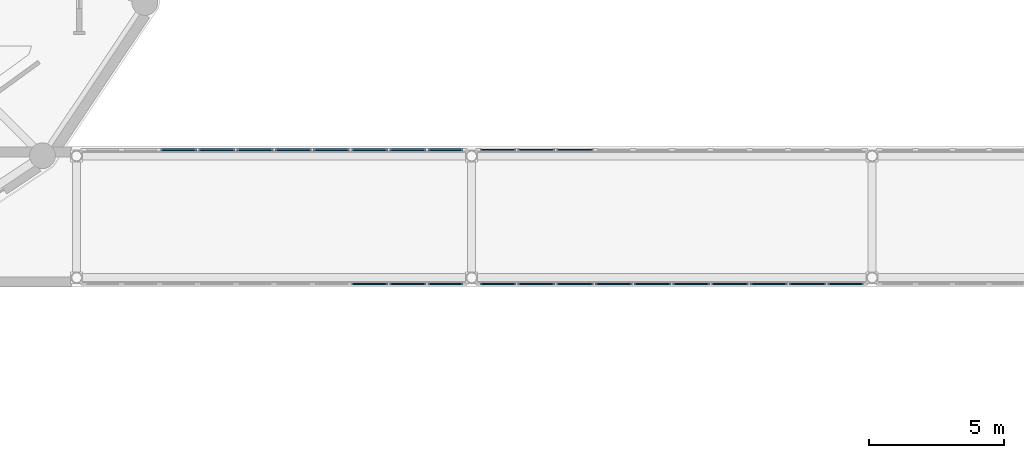
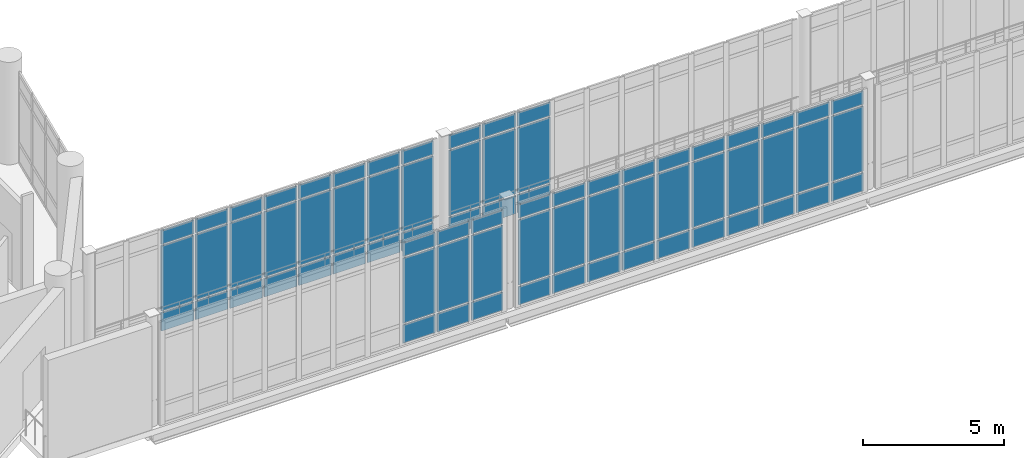
# One storey, part 49 of 89: 72 plates, 4 elements without a shape of their own.
"""IFC4 building model written with IfcOpenShell, lengths in metres."""

from ifc_helpers import new_model, si_unit, direction, frame, origin, origin_2d, place, context, subcontext, project, spatial, rectangle, extrude, material, layer, layer_set, type_object, element, aggregate, save


model = new_model("IFC4")

# Units and contexts
model_context = context("Model", 3, precision=1e-05, world=origin(), true_north=direction((0.0, 1.0)))
body_context = subcontext(model_context, "Body", "Model", "MODEL_VIEW")
ifc_project = project(units=[si_unit("LENGTHUNIT", "METRE"), si_unit("AREAUNIT", "SQUARE_METRE"), si_unit("VOLUMEUNIT", "CUBIC_METRE"), si_unit("PLANEANGLEUNIT", "RADIAN"), si_unit("MASSUNIT", "GRAM", prefix="KILO")], contexts=[model_context])

# Site, building, storey
site_placement = place(None, origin())
site = spatial("IfcSite", under=ifc_project, at=site_placement, CompositionType="ELEMENT")
building_placement = place(site_placement, origin())
building = spatial("IfcBuilding", under=site, at=building_placement, Name="Soyqirgoq Riverine Aquarium", CompositionType="ELEMENT")
storey_placement = place(building_placement, frame((0.0, 0.0, 5.39990234375)))
storey = spatial("IfcBuildingStorey", under=building, at=storey_placement, Name="L02", CompositionType="ELEMENT", Elevation=5.39990234375)

# Curtain wall, plates
ifc_material_1 = material(Name="Laminated solar-control bridge curtain wall", Category="aluminium")
curtain_wall_type = type_object("IfcCurtainWallType", Name="CW_Bridge_Concourse", PredefinedType="NOTDEFINED", material=ifc_material_1)
curtain_wall_1_placement = place(storey_placement, origin())
curtain_wall_1 = element("IfcCurtainWall", 1, at=curtain_wall_1_placement, inside=storey, type_object=curtain_wall_type, Name="BR-1 L02 Curtain Wall 135", PredefinedType="NOTDEFINED")
ifc_material_2 = material(Name="Triple insulated laminated low-E glass", Category="glass")
ifc_layer_1 = layer(ifc_material_2, 0.0458984375)
ifc_layer_set_1 = layer_set([ifc_layer_1], Name="Triple insulated laminated low-E glass")
plate_type_1 = type_object("IfcPlateType", Name="CWGlazedPanel_46", PredefinedType="CURTAIN_PANEL", material=ifc_layer_set_1)
plate_1_placement = place(storey_placement, frame((80.429931640625, 39.919921875, 0.074951171875), z_axis=(0.0, 0.0, 1.0), x_axis=(1.0, 0.0, 0.0)))
plate_1 = element("IfcPlate", 2, at=plate_1_placement, type_object=plate_type_1, Name="CW-06 panel 8.1", PredefinedType="CURTAIN_PANEL", context=body_context, shape_type="SweptSolid", body=[
    extrude(rectangle(XDim=1.33203125, YDim=0.0458984375, at=origin_2d()), origin(), (0.0, 0.0, 1.0), 0.78759765625),
])
plate_2_placement = place(storey_placement, frame((80.429931640625, 39.919921875, 0.9375), z_axis=(0.0, 0.0, 1.0), x_axis=(1.0, 0.0, 0.0)))
plate_2 = element("IfcPlate", 3, at=plate_2_placement, type_object=plate_type_1, Name="CW-06 panel 8.2", PredefinedType="CURTAIN_PANEL", context=body_context, shape_type="SweptSolid", body=[
    extrude(rectangle(XDim=1.33203125, YDim=0.0458984375, at=origin_2d()), origin(), (0.0, 0.0, 1.0), 2.824951171875),
])
plate_3_placement = place(storey_placement, frame((80.429931640625, 39.919921875, 3.837646484375), z_axis=(0.0, 0.0, 1.0), x_axis=(1.0, 0.0, 0.0)))
plate_3 = element("IfcPlate", 4, at=plate_3_placement, type_object=plate_type_1, Name="CW-06 panel 8.3", PredefinedType="CURTAIN_PANEL", context=body_context, shape_type="SweptSolid", body=[
    extrude(rectangle(XDim=1.33203125, YDim=0.0458984375, at=origin_2d()), origin(), (0.0, 0.0, 1.0), 0.58740234375),
])
plate_4_placement = place(storey_placement, frame((81.842041015625, 39.919921875, 0.074951171875), z_axis=(0.0, 0.0, 1.0), x_axis=(1.0, 0.0, 0.0)))
plate_4 = element("IfcPlate", 5, at=plate_4_placement, type_object=plate_type_1, Name="CW-06 panel 9.1", PredefinedType="CURTAIN_PANEL", context=body_context, shape_type="SweptSolid", body=[
    extrude(rectangle(XDim=1.33203125, YDim=0.0458984375, at=origin_2d()), origin(), (0.0, 0.0, 1.0), 0.78759765625),
])
plate_5_placement = place(storey_placement, frame((81.842041015625, 39.919921875, 0.9375), z_axis=(0.0, 0.0, 1.0), x_axis=(1.0, 0.0, 0.0)))
plate_5 = element("IfcPlate", 6, at=plate_5_placement, type_object=plate_type_1, Name="CW-06 panel 9.2", PredefinedType="CURTAIN_PANEL", context=body_context, shape_type="SweptSolid", body=[
    extrude(rectangle(XDim=1.33203125, YDim=0.0458984375, at=origin_2d()), origin(), (0.0, 0.0, 1.0), 2.824951171875),
])
plate_6_placement = place(storey_placement, frame((81.842041015625, 39.919921875, 3.837646484375), z_axis=(0.0, 0.0, 1.0), x_axis=(1.0, 0.0, 0.0)))
plate_6 = element("IfcPlate", 7, at=plate_6_placement, type_object=plate_type_1, Name="CW-06 panel 9.3", PredefinedType="CURTAIN_PANEL", context=body_context, shape_type="SweptSolid", body=[
    extrude(rectangle(XDim=1.33203125, YDim=0.0458984375, at=origin_2d()), origin(), (0.0, 0.0, 1.0), 0.58740234375),
])
plate_7_placement = place(storey_placement, frame((83.23388671875, 39.919921875, 0.074951171875), z_axis=(0.0, 0.0, 1.0), x_axis=(1.0, 0.0, 0.0)))
plate_7 = element("IfcPlate", 8, at=plate_7_placement, type_object=plate_type_1, Name="CW-06 panel 10.1", PredefinedType="CURTAIN_PANEL", context=body_context, shape_type="SweptSolid", body=[
    extrude(rectangle(XDim=1.2919921875, YDim=0.0458984375, at=origin_2d()), origin(), (0.0, 0.0, 1.0), 0.78759765625),
])
plate_8_placement = place(storey_placement, frame((83.23388671875, 39.919921875, 0.9375), z_axis=(0.0, 0.0, 1.0), x_axis=(1.0, 0.0, 0.0)))
plate_8 = element("IfcPlate", 9, at=plate_8_placement, type_object=plate_type_1, Name="CW-06 panel 10.2", PredefinedType="CURTAIN_PANEL", context=body_context, shape_type="SweptSolid", body=[
    extrude(rectangle(XDim=1.2919921875, YDim=0.0458984375, at=origin_2d()), origin(), (0.0, 0.0, 1.0), 2.824951171875),
])
plate_9_placement = place(storey_placement, frame((83.23388671875, 39.919921875, 3.837646484375), z_axis=(0.0, 0.0, 1.0), x_axis=(1.0, 0.0, 0.0)))
plate_9 = element("IfcPlate", 10, at=plate_9_placement, type_object=plate_type_1, Name="CW-06 panel 10.3", PredefinedType="CURTAIN_PANEL", context=body_context, shape_type="SweptSolid", body=[
    extrude(rectangle(XDim=1.2919921875, YDim=0.0458984375, at=origin_2d()), origin(), (0.0, 0.0, 1.0), 0.58740234375),
])
aggregate(curtain_wall_1, [plate_1, plate_2, plate_3, plate_4, plate_5, plate_6, plate_7, plate_8, plate_9])

curtain_wall_2_placement = place(storey_placement, origin())
curtain_wall_2 = element("IfcCurtainWall", 11, at=curtain_wall_2_placement, inside=storey, type_object=curtain_wall_type, Name="BR-1 L02 Curtain Wall 136", PredefinedType="NOTDEFINED")
plate_10_placement = place(storey_placement, frame((85.176025390625, 39.919921875, 0.074951171875), z_axis=(0.0, 0.0, 1.0), x_axis=(1.0, 0.0, 0.0)))
plate_10 = element("IfcPlate", 12, at=plate_10_placement, type_object=plate_type_1, Name="CW-06 panel 1.1", PredefinedType="CURTAIN_PANEL", context=body_context, shape_type="SweptSolid", body=[
    extrude(rectangle(XDim=1.31201171875, YDim=0.0458984375, at=origin_2d()), origin(), (0.0, 0.0, 1.0), 0.78759765625),
])
plate_11_placement = place(storey_placement, frame((85.176025390625, 39.919921875, 0.9375), z_axis=(0.0, 0.0, 1.0), x_axis=(1.0, 0.0, 0.0)))
plate_11 = element("IfcPlate", 13, at=plate_11_placement, type_object=plate_type_1, Name="CW-06 panel 1.2", PredefinedType="CURTAIN_PANEL", context=body_context, shape_type="SweptSolid", body=[
    extrude(rectangle(XDim=1.31201171875, YDim=0.0458984375, at=origin_2d()), origin(), (0.0, 0.0, 1.0), 2.824951171875),
])
plate_12_placement = place(storey_placement, frame((85.176025390625, 39.919921875, 3.837646484375), z_axis=(0.0, 0.0, 1.0), x_axis=(1.0, 0.0, 0.0)))
plate_12 = element("IfcPlate", 14, at=plate_12_placement, type_object=plate_type_1, Name="CW-06 panel 1.3", PredefinedType="CURTAIN_PANEL", context=body_context, shape_type="SweptSolid", body=[
    extrude(rectangle(XDim=1.31201171875, YDim=0.0458984375, at=origin_2d()), origin(), (0.0, 0.0, 1.0), 0.58740234375),
])
plate_13_placement = place(storey_placement, frame((86.587890625, 39.919921875, 0.074951171875), z_axis=(0.0, 0.0, 1.0), x_axis=(1.0, 0.0, 0.0)))
plate_13 = element("IfcPlate", 15, at=plate_13_placement, type_object=plate_type_1, Name="CW-06 panel 2.1", PredefinedType="CURTAIN_PANEL", context=body_context, shape_type="SweptSolid", body=[
    extrude(rectangle(XDim=1.35205078125, YDim=0.0458984375, at=origin_2d()), origin(), (0.0, 0.0, 1.0), 0.78759765625),
])
plate_14_placement = place(storey_placement, frame((86.587890625, 39.919921875, 0.9375), z_axis=(0.0, 0.0, 1.0), x_axis=(1.0, 0.0, 0.0)))
plate_14 = element("IfcPlate", 16, at=plate_14_placement, type_object=plate_type_1, Name="CW-06 panel 2.2", PredefinedType="CURTAIN_PANEL", context=body_context, shape_type="SweptSolid", body=[
    extrude(rectangle(XDim=1.35205078125, YDim=0.0458984375, at=origin_2d()), origin(), (0.0, 0.0, 1.0), 2.824951171875),
])
plate_15_placement = place(storey_placement, frame((86.587890625, 39.919921875, 3.837646484375), z_axis=(0.0, 0.0, 1.0), x_axis=(1.0, 0.0, 0.0)))
plate_15 = element("IfcPlate", 17, at=plate_15_placement, type_object=plate_type_1, Name="CW-06 panel 2.3", PredefinedType="CURTAIN_PANEL", context=body_context, shape_type="SweptSolid", body=[
    extrude(rectangle(XDim=1.35205078125, YDim=0.0458984375, at=origin_2d()), origin(), (0.0, 0.0, 1.0), 0.58740234375),
])
plate_16_placement = place(storey_placement, frame((88.02001953125, 39.919921875, 0.074951171875), z_axis=(0.0, 0.0, 1.0), x_axis=(1.0, 0.0, 0.0)))
plate_16 = element("IfcPlate", 18, at=plate_16_placement, type_object=plate_type_1, Name="CW-06 panel 3.1", PredefinedType="CURTAIN_PANEL", context=body_context, shape_type="SweptSolid", body=[
    extrude(rectangle(XDim=1.35205078125, YDim=0.0458984375, at=origin_2d()), origin(), (0.0, 0.0, 1.0), 0.78759765625),
])
plate_17_placement = place(storey_placement, frame((88.02001953125, 39.919921875, 0.9375), z_axis=(0.0, 0.0, 1.0), x_axis=(1.0, 0.0, 0.0)))
plate_17 = element("IfcPlate", 19, at=plate_17_placement, type_object=plate_type_1, Name="CW-06 panel 3.2", PredefinedType="CURTAIN_PANEL", context=body_context, shape_type="SweptSolid", body=[
    extrude(rectangle(XDim=1.35205078125, YDim=0.0458984375, at=origin_2d()), origin(), (0.0, 0.0, 1.0), 2.824951171875),
])
plate_18_placement = place(storey_placement, frame((88.02001953125, 39.919921875, 3.837646484375), z_axis=(0.0, 0.0, 1.0), x_axis=(1.0, 0.0, 0.0)))
plate_18 = element("IfcPlate", 20, at=plate_18_placement, type_object=plate_type_1, Name="CW-06 panel 3.3", PredefinedType="CURTAIN_PANEL", context=body_context, shape_type="SweptSolid", body=[
    extrude(rectangle(XDim=1.35205078125, YDim=0.0458984375, at=origin_2d()), origin(), (0.0, 0.0, 1.0), 0.58740234375),
])
plate_19_placement = place(storey_placement, frame((89.451904296875, 39.919921875, 0.074951171875), z_axis=(0.0, 0.0, 1.0), x_axis=(1.0, 0.0, 0.0)))
plate_19 = element("IfcPlate", 21, at=plate_19_placement, type_object=plate_type_1, Name="CW-06 panel 4.1", PredefinedType="CURTAIN_PANEL", context=body_context, shape_type="SweptSolid", body=[
    extrude(rectangle(XDim=1.35205078125, YDim=0.0458984375, at=origin_2d()), origin(), (0.0, 0.0, 1.0), 0.78759765625),
])
plate_20_placement = place(storey_placement, frame((89.451904296875, 39.919921875, 0.9375), z_axis=(0.0, 0.0, 1.0), x_axis=(1.0, 0.0, 0.0)))
plate_20 = element("IfcPlate", 22, at=plate_20_placement, type_object=plate_type_1, Name="CW-06 panel 4.2", PredefinedType="CURTAIN_PANEL", context=body_context, shape_type="SweptSolid", body=[
    extrude(rectangle(XDim=1.35205078125, YDim=0.0458984375, at=origin_2d()), origin(), (0.0, 0.0, 1.0), 2.824951171875),
])
plate_21_placement = place(storey_placement, frame((89.451904296875, 39.919921875, 3.837646484375), z_axis=(0.0, 0.0, 1.0), x_axis=(1.0, 0.0, 0.0)))
plate_21 = element("IfcPlate", 23, at=plate_21_placement, type_object=plate_type_1, Name="CW-06 panel 4.3", PredefinedType="CURTAIN_PANEL", context=body_context, shape_type="SweptSolid", body=[
    extrude(rectangle(XDim=1.35205078125, YDim=0.0458984375, at=origin_2d()), origin(), (0.0, 0.0, 1.0), 0.58740234375),
])
plate_22_placement = place(storey_placement, frame((90.884033203125, 39.919921875, 0.074951171875), z_axis=(0.0, 0.0, 1.0), x_axis=(1.0, 0.0, 0.0)))
plate_22 = element("IfcPlate", 24, at=plate_22_placement, type_object=plate_type_1, Name="CW-06 panel 5.1", PredefinedType="CURTAIN_PANEL", context=body_context, shape_type="SweptSolid", body=[
    extrude(rectangle(XDim=1.35205078125, YDim=0.0458984375, at=origin_2d()), origin(), (0.0, 0.0, 1.0), 0.78759765625),
])
plate_23_placement = place(storey_placement, frame((90.884033203125, 39.919921875, 0.9375), z_axis=(0.0, 0.0, 1.0), x_axis=(1.0, 0.0, 0.0)))
plate_23 = element("IfcPlate", 25, at=plate_23_placement, type_object=plate_type_1, Name="CW-06 panel 5.2", PredefinedType="CURTAIN_PANEL", context=body_context, shape_type="SweptSolid", body=[
    extrude(rectangle(XDim=1.35205078125, YDim=0.0458984375, at=origin_2d()), origin(), (0.0, 0.0, 1.0), 2.824951171875),
])
plate_24_placement = place(storey_placement, frame((90.884033203125, 39.919921875, 3.837646484375), z_axis=(0.0, 0.0, 1.0), x_axis=(1.0, 0.0, 0.0)))
plate_24 = element("IfcPlate", 26, at=plate_24_placement, type_object=plate_type_1, Name="CW-06 panel 5.3", PredefinedType="CURTAIN_PANEL", context=body_context, shape_type="SweptSolid", body=[
    extrude(rectangle(XDim=1.35205078125, YDim=0.0458984375, at=origin_2d()), origin(), (0.0, 0.0, 1.0), 0.58740234375),
])
plate_25_placement = place(storey_placement, frame((92.31591796875, 39.919921875, 0.074951171875), z_axis=(0.0, 0.0, 1.0), x_axis=(1.0, 0.0, 0.0)))
plate_25 = element("IfcPlate", 27, at=plate_25_placement, type_object=plate_type_1, Name="CW-06 panel 6.1", PredefinedType="CURTAIN_PANEL", context=body_context, shape_type="SweptSolid", body=[
    extrude(rectangle(XDim=1.35205078125, YDim=0.0458984375, at=origin_2d()), origin(), (0.0, 0.0, 1.0), 0.78759765625),
])
plate_26_placement = place(storey_placement, frame((92.31591796875, 39.919921875, 0.9375), z_axis=(0.0, 0.0, 1.0), x_axis=(1.0, 0.0, 0.0)))
plate_26 = element("IfcPlate", 28, at=plate_26_placement, type_object=plate_type_1, Name="CW-06 panel 6.2", PredefinedType="CURTAIN_PANEL", context=body_context, shape_type="SweptSolid", body=[
    extrude(rectangle(XDim=1.35205078125, YDim=0.0458984375, at=origin_2d()), origin(), (0.0, 0.0, 1.0), 2.824951171875),
])
plate_27_placement = place(storey_placement, frame((92.31591796875, 39.919921875, 3.837646484375), z_axis=(0.0, 0.0, 1.0), x_axis=(1.0, 0.0, 0.0)))
plate_27 = element("IfcPlate", 29, at=plate_27_placement, type_object=plate_type_1, Name="CW-06 panel 6.3", PredefinedType="CURTAIN_PANEL", context=body_context, shape_type="SweptSolid", body=[
    extrude(rectangle(XDim=1.35205078125, YDim=0.0458984375, at=origin_2d()), origin(), (0.0, 0.0, 1.0), 0.58740234375),
])
plate_28_placement = place(storey_placement, frame((93.748046875, 39.919921875, 0.074951171875), z_axis=(0.0, 0.0, 1.0), x_axis=(1.0, 0.0, 0.0)))
plate_28 = element("IfcPlate", 30, at=plate_28_placement, type_object=plate_type_1, Name="CW-06 panel 7.1", PredefinedType="CURTAIN_PANEL", context=body_context, shape_type="SweptSolid", body=[
    extrude(rectangle(XDim=1.35205078125, YDim=0.0458984375, at=origin_2d()), origin(), (0.0, 0.0, 1.0), 0.78759765625),
])
plate_29_placement = place(storey_placement, frame((93.748046875, 39.919921875, 0.9375), z_axis=(0.0, 0.0, 1.0), x_axis=(1.0, 0.0, 0.0)))
plate_29 = element("IfcPlate", 31, at=plate_29_placement, type_object=plate_type_1, Name="CW-06 panel 7.2", PredefinedType="CURTAIN_PANEL", context=body_context, shape_type="SweptSolid", body=[
    extrude(rectangle(XDim=1.35205078125, YDim=0.0458984375, at=origin_2d()), origin(), (0.0, 0.0, 1.0), 2.824951171875),
])
plate_30_placement = place(storey_placement, frame((93.748046875, 39.919921875, 3.837646484375), z_axis=(0.0, 0.0, 1.0), x_axis=(1.0, 0.0, 0.0)))
plate_30 = element("IfcPlate", 32, at=plate_30_placement, type_object=plate_type_1, Name="CW-06 panel 7.3", PredefinedType="CURTAIN_PANEL", context=body_context, shape_type="SweptSolid", body=[
    extrude(rectangle(XDim=1.35205078125, YDim=0.0458984375, at=origin_2d()), origin(), (0.0, 0.0, 1.0), 0.58740234375),
])
plate_31_placement = place(storey_placement, frame((95.179931640625, 39.919921875, 0.074951171875), z_axis=(0.0, 0.0, 1.0), x_axis=(1.0, 0.0, 0.0)))
plate_31 = element("IfcPlate", 33, at=plate_31_placement, type_object=plate_type_1, Name="CW-06 panel 8.1", PredefinedType="CURTAIN_PANEL", context=body_context, shape_type="SweptSolid", body=[
    extrude(rectangle(XDim=1.35205078125, YDim=0.0458984375, at=origin_2d()), origin(), (0.0, 0.0, 1.0), 0.78759765625),
])
plate_32_placement = place(storey_placement, frame((95.179931640625, 39.919921875, 0.9375), z_axis=(0.0, 0.0, 1.0), x_axis=(1.0, 0.0, 0.0)))
plate_32 = element("IfcPlate", 34, at=plate_32_placement, type_object=plate_type_1, Name="CW-06 panel 8.2", PredefinedType="CURTAIN_PANEL", context=body_context, shape_type="SweptSolid", body=[
    extrude(rectangle(XDim=1.35205078125, YDim=0.0458984375, at=origin_2d()), origin(), (0.0, 0.0, 1.0), 2.824951171875),
])
plate_33_placement = place(storey_placement, frame((95.179931640625, 39.919921875, 3.837646484375), z_axis=(0.0, 0.0, 1.0), x_axis=(1.0, 0.0, 0.0)))
plate_33 = element("IfcPlate", 35, at=plate_33_placement, type_object=plate_type_1, Name="CW-06 panel 8.3", PredefinedType="CURTAIN_PANEL", context=body_context, shape_type="SweptSolid", body=[
    extrude(rectangle(XDim=1.35205078125, YDim=0.0458984375, at=origin_2d()), origin(), (0.0, 0.0, 1.0), 0.58740234375),
])
plate_34_placement = place(storey_placement, frame((96.612060546875, 39.919921875, 0.074951171875), z_axis=(0.0, 0.0, 1.0), x_axis=(1.0, 0.0, 0.0)))
plate_34 = element("IfcPlate", 36, at=plate_34_placement, type_object=plate_type_1, Name="CW-06 panel 9.1", PredefinedType="CURTAIN_PANEL", context=body_context, shape_type="SweptSolid", body=[
    extrude(rectangle(XDim=1.35205078125, YDim=0.0458984375, at=origin_2d()), origin(), (0.0, 0.0, 1.0), 0.78759765625),
])
plate_35_placement = place(storey_placement, frame((96.612060546875, 39.919921875, 0.9375), z_axis=(0.0, 0.0, 1.0), x_axis=(1.0, 0.0, 0.0)))
plate_35 = element("IfcPlate", 37, at=plate_35_placement, type_object=plate_type_1, Name="CW-06 panel 9.2", PredefinedType="CURTAIN_PANEL", context=body_context, shape_type="SweptSolid", body=[
    extrude(rectangle(XDim=1.35205078125, YDim=0.0458984375, at=origin_2d()), origin(), (0.0, 0.0, 1.0), 2.824951171875),
])
plate_36_placement = place(storey_placement, frame((96.612060546875, 39.919921875, 3.837646484375), z_axis=(0.0, 0.0, 1.0), x_axis=(1.0, 0.0, 0.0)))
plate_36 = element("IfcPlate", 38, at=plate_36_placement, type_object=plate_type_1, Name="CW-06 panel 9.3", PredefinedType="CURTAIN_PANEL", context=body_context, shape_type="SweptSolid", body=[
    extrude(rectangle(XDim=1.35205078125, YDim=0.0458984375, at=origin_2d()), origin(), (0.0, 0.0, 1.0), 0.58740234375),
])
plate_37_placement = place(storey_placement, frame((98.02392578125, 39.919921875, 0.074951171875), z_axis=(0.0, 0.0, 1.0), x_axis=(1.0, 0.0, 0.0)))
plate_37 = element("IfcPlate", 39, at=plate_37_placement, type_object=plate_type_1, Name="CW-06 panel 10.1", PredefinedType="CURTAIN_PANEL", context=body_context, shape_type="SweptSolid", body=[
    extrude(rectangle(XDim=1.31201171875, YDim=0.0458984375, at=origin_2d()), origin(), (0.0, 0.0, 1.0), 0.78759765625),
])
plate_38_placement = place(storey_placement, frame((98.02392578125, 39.919921875, 0.9375), z_axis=(0.0, 0.0, 1.0), x_axis=(1.0, 0.0, 0.0)))
plate_38 = element("IfcPlate", 40, at=plate_38_placement, type_object=plate_type_1, Name="CW-06 panel 10.2", PredefinedType="CURTAIN_PANEL", context=body_context, shape_type="SweptSolid", body=[
    extrude(rectangle(XDim=1.31201171875, YDim=0.0458984375, at=origin_2d()), origin(), (0.0, 0.0, 1.0), 2.824951171875),
])
plate_39_placement = place(storey_placement, frame((98.02392578125, 39.919921875, 3.837646484375), z_axis=(0.0, 0.0, 1.0), x_axis=(1.0, 0.0, 0.0)))
plate_39 = element("IfcPlate", 41, at=plate_39_placement, type_object=plate_type_1, Name="CW-06 panel 10.3", PredefinedType="CURTAIN_PANEL", context=body_context, shape_type="SweptSolid", body=[
    extrude(rectangle(XDim=1.31201171875, YDim=0.0458984375, at=origin_2d()), origin(), (0.0, 0.0, 1.0), 0.58740234375),
])
aggregate(curtain_wall_2, [plate_10, plate_11, plate_12, plate_13, plate_14, plate_15, plate_16, plate_17, plate_18, plate_19, plate_20, plate_21, plate_22, plate_23, plate_24, plate_25, plate_26, plate_27, plate_28, plate_29, plate_30, plate_31, plate_32, plate_33, plate_34, plate_35, plate_36, plate_37, plate_38, plate_39])

curtain_wall_3_placement = place(storey_placement, origin())
curtain_wall_3 = element("IfcCurtainWall", 42, at=curtain_wall_3_placement, inside=storey, type_object=curtain_wall_type, Name="BR-1 L02 Curtain Wall 139", PredefinedType="NOTDEFINED")
plate_40_placement = place(storey_placement, frame((85.176025390625, 44.8798828125, 0.074951171875), z_axis=(0.0, 0.0, 1.0), x_axis=(1.0, 0.0, 0.0)))
plate_40 = element("IfcPlate", 43, at=plate_40_placement, type_object=plate_type_1, Name="CW-06 panel 1.1", PredefinedType="CURTAIN_PANEL", context=body_context, shape_type="SweptSolid", body=[
    extrude(rectangle(XDim=1.31201171875, YDim=0.0458984375, at=origin_2d()), origin(), (0.0, 0.0, 1.0), 0.78759765625),
])
plate_41_placement = place(storey_placement, frame((85.176025390625, 44.8798828125, 0.9375), z_axis=(0.0, 0.0, 1.0), x_axis=(1.0, 0.0, 0.0)))
plate_41 = element("IfcPlate", 44, at=plate_41_placement, type_object=plate_type_1, Name="CW-06 panel 1.2", PredefinedType="CURTAIN_PANEL", context=body_context, shape_type="SweptSolid", body=[
    extrude(rectangle(XDim=1.31201171875, YDim=0.0458984375, at=origin_2d()), origin(), (0.0, 0.0, 1.0), 2.824951171875),
])
plate_42_placement = place(storey_placement, frame((85.176025390625, 44.8798828125, 3.837646484375), z_axis=(0.0, 0.0, 1.0), x_axis=(1.0, 0.0, 0.0)))
plate_42 = element("IfcPlate", 45, at=plate_42_placement, type_object=plate_type_1, Name="CW-06 panel 1.3", PredefinedType="CURTAIN_PANEL", context=body_context, shape_type="SweptSolid", body=[
    extrude(rectangle(XDim=1.31201171875, YDim=0.0458984375, at=origin_2d()), origin(), (0.0, 0.0, 1.0), 0.58740234375),
])
plate_43_placement = place(storey_placement, frame((86.587890625, 44.8798828125, 0.074951171875), z_axis=(0.0, 0.0, 1.0), x_axis=(1.0, 0.0, 0.0)))
plate_43 = element("IfcPlate", 46, at=plate_43_placement, type_object=plate_type_1, Name="CW-06 panel 2.1", PredefinedType="CURTAIN_PANEL", context=body_context, shape_type="SweptSolid", body=[
    extrude(rectangle(XDim=1.35205078125, YDim=0.0458984375, at=origin_2d()), origin(), (0.0, 0.0, 1.0), 0.78759765625),
])
plate_44_placement = place(storey_placement, frame((86.587890625, 44.8798828125, 0.9375), z_axis=(0.0, 0.0, 1.0), x_axis=(1.0, 0.0, 0.0)))
plate_44 = element("IfcPlate", 47, at=plate_44_placement, type_object=plate_type_1, Name="CW-06 panel 2.2", PredefinedType="CURTAIN_PANEL", context=body_context, shape_type="SweptSolid", body=[
    extrude(rectangle(XDim=1.35205078125, YDim=0.0458984375, at=origin_2d()), origin(), (0.0, 0.0, 1.0), 2.824951171875),
])
plate_45_placement = place(storey_placement, frame((86.587890625, 44.8798828125, 3.837646484375), z_axis=(0.0, 0.0, 1.0), x_axis=(1.0, 0.0, 0.0)))
plate_45 = element("IfcPlate", 48, at=plate_45_placement, type_object=plate_type_1, Name="CW-06 panel 2.3", PredefinedType="CURTAIN_PANEL", context=body_context, shape_type="SweptSolid", body=[
    extrude(rectangle(XDim=1.35205078125, YDim=0.0458984375, at=origin_2d()), origin(), (0.0, 0.0, 1.0), 0.58740234375),
])
plate_46_placement = place(storey_placement, frame((88.02001953125, 44.8798828125, 0.074951171875), z_axis=(0.0, 0.0, 1.0), x_axis=(1.0, 0.0, 0.0)))
plate_46 = element("IfcPlate", 49, at=plate_46_placement, type_object=plate_type_1, Name="CW-06 panel 3.1", PredefinedType="CURTAIN_PANEL", context=body_context, shape_type="SweptSolid", body=[
    extrude(rectangle(XDim=1.35205078125, YDim=0.0458984375, at=origin_2d()), origin(), (0.0, 0.0, 1.0), 0.78759765625),
])
plate_47_placement = place(storey_placement, frame((88.02001953125, 44.8798828125, 0.9375), z_axis=(0.0, 0.0, 1.0), x_axis=(1.0, 0.0, 0.0)))
plate_47 = element("IfcPlate", 50, at=plate_47_placement, type_object=plate_type_1, Name="CW-06 panel 3.2", PredefinedType="CURTAIN_PANEL", context=body_context, shape_type="SweptSolid", body=[
    extrude(rectangle(XDim=1.35205078125, YDim=0.0458984375, at=origin_2d()), origin(), (0.0, 0.0, 1.0), 2.824951171875),
])
plate_48_placement = place(storey_placement, frame((88.02001953125, 44.8798828125, 3.837646484375), z_axis=(0.0, 0.0, 1.0), x_axis=(1.0, 0.0, 0.0)))
plate_48 = element("IfcPlate", 51, at=plate_48_placement, type_object=plate_type_1, Name="CW-06 panel 3.3", PredefinedType="CURTAIN_PANEL", context=body_context, shape_type="SweptSolid", body=[
    extrude(rectangle(XDim=1.35205078125, YDim=0.0458984375, at=origin_2d()), origin(), (0.0, 0.0, 1.0), 0.58740234375),
])
aggregate(curtain_wall_3, [plate_40, plate_41, plate_42, plate_43, plate_44, plate_45, plate_46, plate_47, plate_48])

curtain_wall_4_placement = place(storey_placement, origin())
curtain_wall_4 = element("IfcCurtainWall", 52, at=curtain_wall_4_placement, inside=storey, type_object=curtain_wall_type, Name="BR-1 L02 Curtain Wall 138", PredefinedType="NOTDEFINED")
ifc_material_3 = material(Name="Insulated shadow-box aluminium spandrel panel", Category="aluminium")
ifc_layer_2 = layer(ifc_material_3, 0.06005859375)
ifc_layer_set_2 = layer_set([ifc_layer_2], Name="Insulated shadow-box aluminium spandrel panel")
plate_type_2 = type_object("IfcPlateType", Name="CWSpandrelPanel_60", PredefinedType="CURTAIN_PANEL", material=ifc_layer_set_2)
plate_49_placement = place(storey_placement, frame((73.3701171875, 44.8798828125, 0.074951171875), z_axis=(0.0, 0.0, 1.0), x_axis=(1.0, 0.0, 0.0)))
plate_49 = element("IfcPlate", 53, at=plate_49_placement, type_object=plate_type_2, Name="CW-06 panel 3.1", PredefinedType="CURTAIN_PANEL", context=body_context, shape_type="SweptSolid", body=[
    extrude(rectangle(XDim=1.33203125, YDim=0.06005859375, at=origin_2d()), origin(), (0.0, 0.0, 1.0), 0.78759765625),
])
plate_50_placement = place(storey_placement, frame((73.3701171875, 44.8798828125, 0.9375), z_axis=(0.0, 0.0, 1.0), x_axis=(1.0, 0.0, 0.0)))
plate_50 = element("IfcPlate", 54, at=plate_50_placement, type_object=plate_type_2, Name="CW-06 panel 3.2", PredefinedType="CURTAIN_PANEL", context=body_context, shape_type="SweptSolid", body=[
    extrude(rectangle(XDim=1.33203125, YDim=0.06005859375, at=origin_2d()), origin(), (0.0, 0.0, 1.0), 2.824951171875),
])
plate_51_placement = place(storey_placement, frame((73.3701171875, 44.8798828125, 3.837646484375), z_axis=(0.0, 0.0, 1.0), x_axis=(1.0, 0.0, 0.0)))
plate_51 = element("IfcPlate", 55, at=plate_51_placement, type_object=plate_type_2, Name="CW-06 panel 3.3", PredefinedType="CURTAIN_PANEL", context=body_context, shape_type="SweptSolid", body=[
    extrude(rectangle(XDim=1.33203125, YDim=0.06005859375, at=origin_2d()), origin(), (0.0, 0.0, 1.0), 0.58740234375),
])
plate_52_placement = place(storey_placement, frame((74.781982421875, 44.8798828125, 0.074951171875), z_axis=(0.0, 0.0, 1.0), x_axis=(1.0, 0.0, 0.0)))
plate_52 = element("IfcPlate", 56, at=plate_52_placement, type_object=plate_type_2, Name="CW-06 panel 4.1", PredefinedType="CURTAIN_PANEL", context=body_context, shape_type="SweptSolid", body=[
    extrude(rectangle(XDim=1.33203125, YDim=0.06005859375, at=origin_2d()), origin(), (0.0, 0.0, 1.0), 0.78759765625),
])
plate_53_placement = place(storey_placement, frame((74.781982421875, 44.8798828125, 0.9375), z_axis=(0.0, 0.0, 1.0), x_axis=(1.0, 0.0, 0.0)))
plate_53 = element("IfcPlate", 57, at=plate_53_placement, type_object=plate_type_2, Name="CW-06 panel 4.2", PredefinedType="CURTAIN_PANEL", context=body_context, shape_type="SweptSolid", body=[
    extrude(rectangle(XDim=1.33203125, YDim=0.06005859375, at=origin_2d()), origin(), (0.0, 0.0, 1.0), 2.824951171875),
])
plate_54_placement = place(storey_placement, frame((74.781982421875, 44.8798828125, 3.837646484375), z_axis=(0.0, 0.0, 1.0), x_axis=(1.0, 0.0, 0.0)))
plate_54 = element("IfcPlate", 58, at=plate_54_placement, type_object=plate_type_2, Name="CW-06 panel 4.3", PredefinedType="CURTAIN_PANEL", context=body_context, shape_type="SweptSolid", body=[
    extrude(rectangle(XDim=1.33203125, YDim=0.06005859375, at=origin_2d()), origin(), (0.0, 0.0, 1.0), 0.58740234375),
])
plate_55_placement = place(storey_placement, frame((76.194091796875, 44.8798828125, 0.074951171875), z_axis=(0.0, 0.0, 1.0), x_axis=(1.0, 0.0, 0.0)))
plate_55 = element("IfcPlate", 59, at=plate_55_placement, type_object=plate_type_2, Name="CW-06 panel 5.1", PredefinedType="CURTAIN_PANEL", context=body_context, shape_type="SweptSolid", body=[
    extrude(rectangle(XDim=1.33203125, YDim=0.06005859375, at=origin_2d()), origin(), (0.0, 0.0, 1.0), 0.78759765625),
])
plate_56_placement = place(storey_placement, frame((76.194091796875, 44.8798828125, 0.9375), z_axis=(0.0, 0.0, 1.0), x_axis=(1.0, 0.0, 0.0)))
plate_56 = element("IfcPlate", 60, at=plate_56_placement, type_object=plate_type_2, Name="CW-06 panel 5.2", PredefinedType="CURTAIN_PANEL", context=body_context, shape_type="SweptSolid", body=[
    extrude(rectangle(XDim=1.33203125, YDim=0.06005859375, at=origin_2d()), origin(), (0.0, 0.0, 1.0), 2.824951171875),
])
plate_57_placement = place(storey_placement, frame((76.194091796875, 44.8798828125, 3.837646484375), z_axis=(0.0, 0.0, 1.0), x_axis=(1.0, 0.0, 0.0)))
plate_57 = element("IfcPlate", 61, at=plate_57_placement, type_object=plate_type_2, Name="CW-06 panel 5.3", PredefinedType="CURTAIN_PANEL", context=body_context, shape_type="SweptSolid", body=[
    extrude(rectangle(XDim=1.33203125, YDim=0.06005859375, at=origin_2d()), origin(), (0.0, 0.0, 1.0), 0.58740234375),
])
plate_58_placement = place(storey_placement, frame((77.60595703125, 44.8798828125, 0.074951171875), z_axis=(0.0, 0.0, 1.0), x_axis=(1.0, 0.0, 0.0)))
plate_58 = element("IfcPlate", 62, at=plate_58_placement, type_object=plate_type_2, Name="CW-06 panel 6.1", PredefinedType="CURTAIN_PANEL", context=body_context, shape_type="SweptSolid", body=[
    extrude(rectangle(XDim=1.33203125, YDim=0.06005859375, at=origin_2d()), origin(), (0.0, 0.0, 1.0), 0.78759765625),
])
plate_59_placement = place(storey_placement, frame((77.60595703125, 44.8798828125, 0.9375), z_axis=(0.0, 0.0, 1.0), x_axis=(1.0, 0.0, 0.0)))
plate_59 = element("IfcPlate", 63, at=plate_59_placement, type_object=plate_type_2, Name="CW-06 panel 6.2", PredefinedType="CURTAIN_PANEL", context=body_context, shape_type="SweptSolid", body=[
    extrude(rectangle(XDim=1.33203125, YDim=0.06005859375, at=origin_2d()), origin(), (0.0, 0.0, 1.0), 2.824951171875),
])
plate_60_placement = place(storey_placement, frame((77.60595703125, 44.8798828125, 3.837646484375), z_axis=(0.0, 0.0, 1.0), x_axis=(1.0, 0.0, 0.0)))
plate_60 = element("IfcPlate", 64, at=plate_60_placement, type_object=plate_type_2, Name="CW-06 panel 6.3", PredefinedType="CURTAIN_PANEL", context=body_context, shape_type="SweptSolid", body=[
    extrude(rectangle(XDim=1.33203125, YDim=0.06005859375, at=origin_2d()), origin(), (0.0, 0.0, 1.0), 0.58740234375),
])
plate_61_placement = place(storey_placement, frame((79.01806640625, 44.8798828125, 0.074951171875), z_axis=(0.0, 0.0, 1.0), x_axis=(1.0, 0.0, 0.0)))
plate_61 = element("IfcPlate", 65, at=plate_61_placement, type_object=plate_type_2, Name="CW-06 panel 7.1", PredefinedType="CURTAIN_PANEL", context=body_context, shape_type="SweptSolid", body=[
    extrude(rectangle(XDim=1.33203125, YDim=0.06005859375, at=origin_2d()), origin(), (0.0, 0.0, 1.0), 0.78759765625),
])
plate_62_placement = place(storey_placement, frame((79.01806640625, 44.8798828125, 0.9375), z_axis=(0.0, 0.0, 1.0), x_axis=(1.0, 0.0, 0.0)))
plate_62 = element("IfcPlate", 66, at=plate_62_placement, type_object=plate_type_2, Name="CW-06 panel 7.2", PredefinedType="CURTAIN_PANEL", context=body_context, shape_type="SweptSolid", body=[
    extrude(rectangle(XDim=1.33203125, YDim=0.06005859375, at=origin_2d()), origin(), (0.0, 0.0, 1.0), 2.824951171875),
])
plate_63_placement = place(storey_placement, frame((79.01806640625, 44.8798828125, 3.837646484375), z_axis=(0.0, 0.0, 1.0), x_axis=(1.0, 0.0, 0.0)))
plate_63 = element("IfcPlate", 67, at=plate_63_placement, type_object=plate_type_2, Name="CW-06 panel 7.3", PredefinedType="CURTAIN_PANEL", context=body_context, shape_type="SweptSolid", body=[
    extrude(rectangle(XDim=1.33203125, YDim=0.06005859375, at=origin_2d()), origin(), (0.0, 0.0, 1.0), 0.58740234375),
])
plate_64_placement = place(storey_placement, frame((80.429931640625, 44.8798828125, 0.074951171875), z_axis=(0.0, 0.0, 1.0), x_axis=(1.0, 0.0, 0.0)))
plate_64 = element("IfcPlate", 68, at=plate_64_placement, type_object=plate_type_2, Name="CW-06 panel 8.1", PredefinedType="CURTAIN_PANEL", context=body_context, shape_type="SweptSolid", body=[
    extrude(rectangle(XDim=1.33203125, YDim=0.06005859375, at=origin_2d()), origin(), (0.0, 0.0, 1.0), 0.78759765625),
])
plate_65_placement = place(storey_placement, frame((80.429931640625, 44.8798828125, 0.9375), z_axis=(0.0, 0.0, 1.0), x_axis=(1.0, 0.0, 0.0)))
plate_65 = element("IfcPlate", 69, at=plate_65_placement, type_object=plate_type_2, Name="CW-06 panel 8.2", PredefinedType="CURTAIN_PANEL", context=body_context, shape_type="SweptSolid", body=[
    extrude(rectangle(XDim=1.33203125, YDim=0.06005859375, at=origin_2d()), origin(), (0.0, 0.0, 1.0), 2.824951171875),
])
plate_66_placement = place(storey_placement, frame((80.429931640625, 44.8798828125, 3.837646484375), z_axis=(0.0, 0.0, 1.0), x_axis=(1.0, 0.0, 0.0)))
plate_66 = element("IfcPlate", 70, at=plate_66_placement, type_object=plate_type_2, Name="CW-06 panel 8.3", PredefinedType="CURTAIN_PANEL", context=body_context, shape_type="SweptSolid", body=[
    extrude(rectangle(XDim=1.33203125, YDim=0.06005859375, at=origin_2d()), origin(), (0.0, 0.0, 1.0), 0.58740234375),
])
plate_67_placement = place(storey_placement, frame((81.842041015625, 44.8798828125, 0.074951171875), z_axis=(0.0, 0.0, 1.0), x_axis=(1.0, 0.0, 0.0)))
plate_67 = element("IfcPlate", 71, at=plate_67_placement, type_object=plate_type_2, Name="CW-06 panel 9.1", PredefinedType="CURTAIN_PANEL", context=body_context, shape_type="SweptSolid", body=[
    extrude(rectangle(XDim=1.33203125, YDim=0.06005859375, at=origin_2d()), origin(), (0.0, 0.0, 1.0), 0.78759765625),
])
plate_68_placement = place(storey_placement, frame((81.842041015625, 44.8798828125, 0.9375), z_axis=(0.0, 0.0, 1.0), x_axis=(1.0, 0.0, 0.0)))
plate_68 = element("IfcPlate", 72, at=plate_68_placement, type_object=plate_type_2, Name="CW-06 panel 9.2", PredefinedType="CURTAIN_PANEL", context=body_context, shape_type="SweptSolid", body=[
    extrude(rectangle(XDim=1.33203125, YDim=0.06005859375, at=origin_2d()), origin(), (0.0, 0.0, 1.0), 2.824951171875),
])
plate_69_placement = place(storey_placement, frame((81.842041015625, 44.8798828125, 3.837646484375), z_axis=(0.0, 0.0, 1.0), x_axis=(1.0, 0.0, 0.0)))
plate_69 = element("IfcPlate", 73, at=plate_69_placement, type_object=plate_type_2, Name="CW-06 panel 9.3", PredefinedType="CURTAIN_PANEL", context=body_context, shape_type="SweptSolid", body=[
    extrude(rectangle(XDim=1.33203125, YDim=0.06005859375, at=origin_2d()), origin(), (0.0, 0.0, 1.0), 0.58740234375),
])
plate_70_placement = place(storey_placement, frame((83.23388671875, 44.8798828125, 0.074951171875), z_axis=(0.0, 0.0, 1.0), x_axis=(1.0, 0.0, 0.0)))
plate_70 = element("IfcPlate", 74, at=plate_70_placement, type_object=plate_type_2, Name="CW-06 panel 10.1", PredefinedType="CURTAIN_PANEL", context=body_context, shape_type="SweptSolid", body=[
    extrude(rectangle(XDim=1.2919921875, YDim=0.06005859375, at=origin_2d()), origin(), (0.0, 0.0, 1.0), 0.78759765625),
])
plate_71_placement = place(storey_placement, frame((83.23388671875, 44.8798828125, 0.9375), z_axis=(0.0, 0.0, 1.0), x_axis=(1.0, 0.0, 0.0)))
plate_71 = element("IfcPlate", 75, at=plate_71_placement, type_object=plate_type_2, Name="CW-06 panel 10.2", PredefinedType="CURTAIN_PANEL", context=body_context, shape_type="SweptSolid", body=[
    extrude(rectangle(XDim=1.2919921875, YDim=0.06005859375, at=origin_2d()), origin(), (0.0, 0.0, 1.0), 2.824951171875),
])
plate_72_placement = place(storey_placement, frame((83.23388671875, 44.8798828125, 3.837646484375), z_axis=(0.0, 0.0, 1.0), x_axis=(1.0, 0.0, 0.0)))
plate_72 = element("IfcPlate", 76, at=plate_72_placement, type_object=plate_type_2, Name="CW-06 panel 10.3", PredefinedType="CURTAIN_PANEL", context=body_context, shape_type="SweptSolid", body=[
    extrude(rectangle(XDim=1.2919921875, YDim=0.06005859375, at=origin_2d()), origin(), (0.0, 0.0, 1.0), 0.58740234375),
])
aggregate(curtain_wall_4, [plate_49, plate_50, plate_51, plate_52, plate_53, plate_54, plate_55, plate_56, plate_57, plate_58, plate_59, plate_60, plate_61, plate_62, plate_63, plate_64, plate_65, plate_66, plate_67, plate_68, plate_69, plate_70, plate_71, plate_72])

save(model, "model.ifc")
